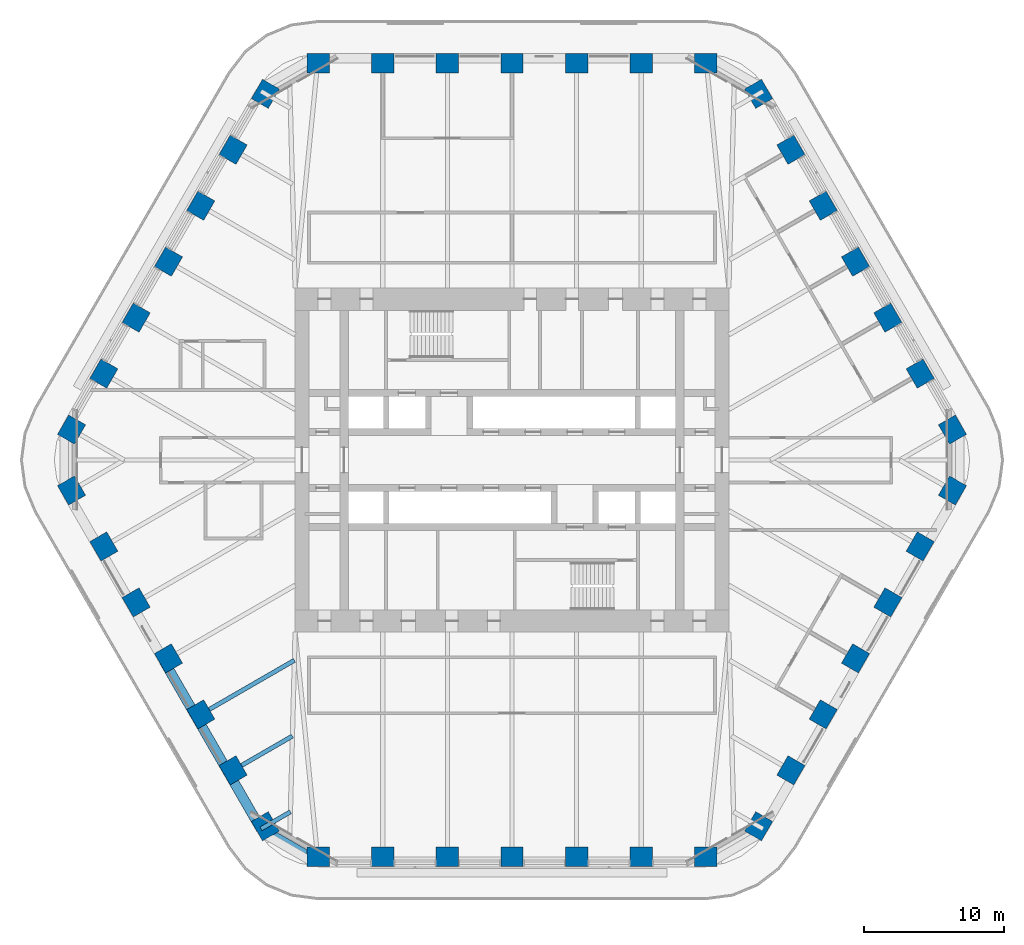
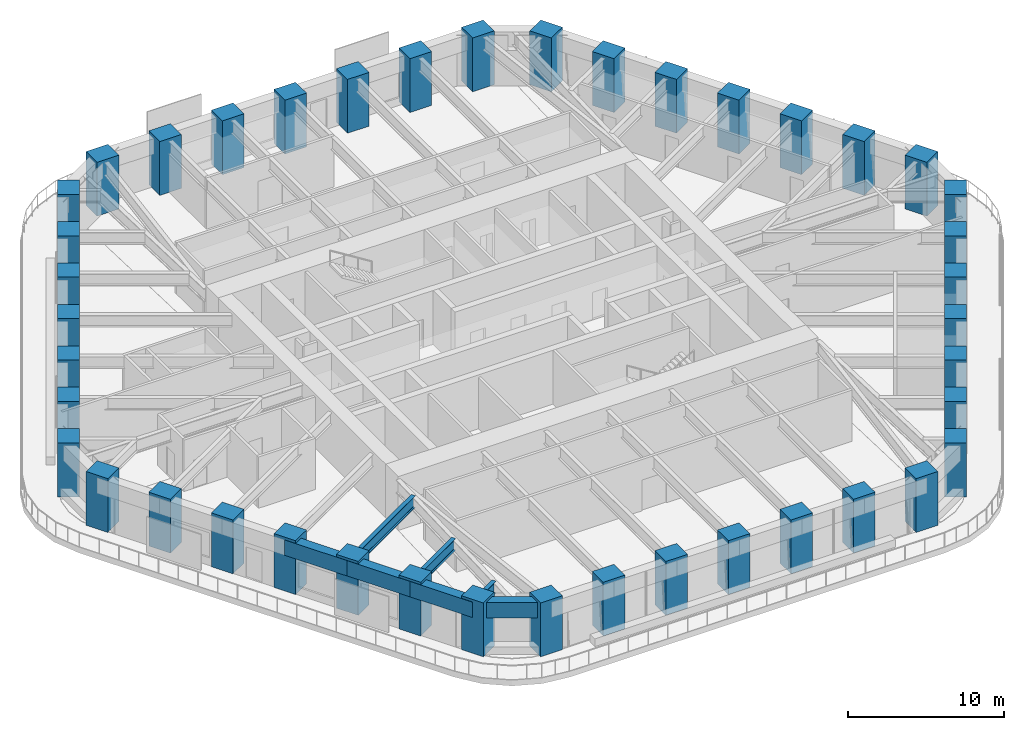
# One storey, part 1 of 20: 42 columns, 7 beams.
"""IFC4 building model written with IfcOpenShell, lengths in metres."""

import ifcopenshell
import ifcopenshell.guid

model = None  # the IFC model being written
_history = None  # IfcOwnerHistory: only IFC2X3 demands one
_inside = {}  # id of a spatial element -> (the spatial element, [elements in it])
_under = {}  # id of a project, library or spatial element -> (it, [spatial elements below it])
_declared = {}  # id of a project -> (the project, [libraries it declares])
_typed = {}  # id of a type object -> (the type object, [elements of that type])
_made_of = {}  # id of a material, layer set ... -> (it, [elements and type objects made of it])


def new_model(schema):
    """Start an empty IFC model of exactly this schema.

    Asked for "IFC4X3", IfcOpenShell would pick the latest addendum, in which some entities
    have other attributes; the version numbers below select the first issue.
    IFC2X3 requires an IfcOwnerHistory on every rooted entity: one is made here for all.
    """
    global model, _history
    if schema == "IFC4X3":
        model = ifcopenshell.file(schema_version=(4, 3, 0, 0))
    else:
        model = ifcopenshell.file(schema=schema)
    _inside.clear()
    _under.clear()
    _declared.clear()
    _typed.clear()
    _made_of.clear()
    _history = None
    if model.schema == "IFC2X3":
        org = make("IfcOrganization", Name="unknown")
        user = make(
            "IfcPersonAndOrganization",
            ThePerson=make("IfcPerson", FamilyName="unknown"),
            TheOrganization=org,
        )
        app = make(
            "IfcApplication",
            ApplicationDeveloper=org,
            Version="unknown",
            ApplicationFullName="unknown",
            ApplicationIdentifier="unknown",
        )
        _history = make(
            "IfcOwnerHistory",
            OwningUser=user,
            OwningApplication=app,
            ChangeAction="ADDED",
            CreationDate=0,
        )
    return model


def make(cls, **values):
    """One entity of the class cls with the attributes given. An attribute that is None is left unset."""
    return model.create_entity(
        cls, **{name: value for name, value in values.items() if value is not None}
    )


def rooted(cls, **values):
    """An entity with a GlobalId (a new one), such as an element, a storey or a relation."""
    return make(cls, GlobalId=ifcopenshell.guid.new(), OwnerHistory=_history, **values)


def si_unit(unit_type, name, prefix=None):
    """IfcSIUnit, for example si_unit("LENGTHUNIT", "METRE", prefix="MILLI")."""
    return make("IfcSIUnit", UnitType=unit_type, Prefix=prefix, Name=name)


def assignment(units):
    """IfcUnitAssignment: the units of a project."""
    return None if units is None else make("IfcUnitAssignment", Units=units)


def point(xyz):
    """IfcCartesianPoint."""
    return None if xyz is None else make("IfcCartesianPoint", Coordinates=xyz)


def direction(xyz):
    """IfcDirection."""
    return None if xyz is None else make("IfcDirection", DirectionRatios=xyz)


def frame(location, z_axis=None, x_axis=None):
    """IfcAxis2Placement3D, a coordinate frame: its origin and axes. An axis left out is left unset."""
    return make(
        "IfcAxis2Placement3D",
        Location=point(location),
        Axis=direction(z_axis),
        RefDirection=direction(x_axis),
    )


def frame_2d(location, x_axis=None):
    """IfcAxis2Placement2D, a coordinate frame in the plane: its origin and x axis."""
    return make(
        "IfcAxis2Placement2D", Location=point(location), RefDirection=direction(x_axis)
    )


def origin():
    """The frame at (0, 0, 0) with its axes left unset."""
    return frame((0.0, 0.0, 0.0))


def origin_2d():
    """The frame at (0, 0) in the plane with its x axis left unset."""
    return frame_2d((0.0, 0.0))


def place(relative_to, where):
    """IfcLocalPlacement: puts the frame where relative to a parent placement (None: the world)."""
    return make(
        "IfcLocalPlacement", PlacementRelTo=relative_to, RelativePlacement=where
    )


def context(
    kind, dimensions, precision=None, world=None, true_north=None, identifier=None
):
    """IfcGeometricRepresentationContext, for example the 3D "Model" context."""
    return make(
        "IfcGeometricRepresentationContext",
        ContextIdentifier=identifier,
        ContextType=kind,
        CoordinateSpaceDimension=dimensions,
        Precision=precision,
        WorldCoordinateSystem=world,
        TrueNorth=true_north,
    )


def subcontext(parent, identifier, kind, view, scale=None):
    """IfcGeometricRepresentationSubContext, for example "Body" below "Model"."""
    return make(
        "IfcGeometricRepresentationSubContext",
        ContextIdentifier=identifier,
        ContextType=kind,
        ParentContext=parent,
        TargetScale=scale,
        TargetView=view,
    )


def project(units=None, contexts=None):
    """IfcProject with its units and contexts."""
    return rooted(
        "IfcProject",
        Name="project",
        RepresentationContexts=contexts,
        UnitsInContext=assignment(units),
    )


def spatial(cls, under=None, at=None, **own):
    """A site, building, storey or space (cls), placed at a placement, below another one or the project."""
    s = rooted(cls, ObjectPlacement=at, **own)
    if under is not None:
        _under.setdefault(under.id(), (under, []))[1].append(s)
    return s


def profile(cls, at=None, kind="AREA", **sizes):
    """A parametric profile (cls). Its sizes go by their IFC names, for example OverallWidth=200.0."""
    return make(cls, ProfileType=kind, Position=at, **sizes)


def rectangle(**sizes):
    """IfcRectangleProfileDef."""
    return profile("IfcRectangleProfileDef", **sizes)


def i_section(**sizes):
    """IfcIShapeProfileDef."""
    return profile("IfcIShapeProfileDef", **sizes)


def extrude(swept, where, along, depth):
    """IfcExtrudedAreaSolid: the profile swept, set in the frame where, extruded along a direction by depth."""
    return make(
        "IfcExtrudedAreaSolid",
        SweptArea=swept,
        Position=where,
        ExtrudedDirection=direction(along),
        Depth=depth,
    )


def shape(context_of_items, identifier, shape_type, items):
    """IfcShapeRepresentation: the items that make up one representation, for example the "Body"."""
    return make(
        "IfcShapeRepresentation",
        ContextOfItems=context_of_items,
        RepresentationIdentifier=identifier,
        RepresentationType=shape_type,
        Items=items,
    )


def material(Name=None, Category=None):
    """IfcMaterial."""
    return make("IfcMaterial", Name=Name, Category=Category)


def material_profile(
    of_material, cross_section, Name=None, Category=None, Priority=None
):
    """IfcMaterialProfile: a cross section and its material."""
    return make(
        "IfcMaterialProfile",
        Name=Name,
        Material=of_material,
        Profile=cross_section,
        Priority=Priority,
        Category=Category,
    )


def profile_set(profiles, Name=None, composite=None):
    """IfcMaterialProfileSet."""
    return make(
        "IfcMaterialProfileSet",
        Name=Name,
        MaterialProfiles=profiles,
        CompositeProfile=composite,
    )


def made_of(thing, what):
    """Note that an element or type object is made of a material, layer set ...; save() writes the relation."""
    if what is not None:
        _made_of.setdefault(what.id(), (what, []))[1].append(thing)
    return thing


def type_object(cls, material=None, **own):
    """A type object (cls), such as IfcWallType, which elements share."""
    return made_of(rooted(cls, **own), material)


def element(
    cls,
    number,
    at=None,
    inside=None,
    cuts=None,
    type_object=None,
    material=None,
    context=None,
    identifier="Body",
    shape_type=None,
    held_by="IfcProductDefinitionShape",
    body=None,
    shapes=None,
    **own,
):
    """One element of the class cls, such as IfcWall. Its Tag is "e" and its number.

    at: its placement. inside: the storey or other place that contains it. cuts: it is an
    opening in that element (IfcRelVoidsElement). A single representation is given by context,
    identifier, shape_type and body (its items); several are given by shapes. held_by: the class
    of the entity that holds the representations. save() writes the other relations.
    """
    e = rooted(cls, Tag="e%d" % number, ObjectPlacement=at, **own)
    if body is not None:
        shapes = [shape(context, identifier, shape_type, body)]
    if shapes is not None:
        e.Representation = make(held_by, Representations=shapes)
    if inside is not None:
        _inside.setdefault(inside.id(), (inside, []))[1].append(e)
    if cuts is not None:
        rooted(
            "IfcRelVoidsElement", RelatingBuildingElement=cuts, RelatedOpeningElement=e
        )
    if type_object is not None:
        _typed.setdefault(type_object.id(), (type_object, []))[1].append(e)
    return made_of(e, material)


def aggregate(whole, parts):
    """IfcRelAggregates: a whole, such as a stair, and the parts it consists of."""
    return rooted("IfcRelAggregates", RelatingObject=whole, RelatedObjects=parts)


def save(model, path):
    """Write the relations noted so far, then the file.

    IfcRelAggregates (storeys below a building ...), IfcRelContainedInSpatialStructure (elements
    in a storey), IfcRelDefinesByType, IfcRelAssociatesMaterial and IfcRelDeclares: one each for
    every whole, place, type object, material and project.
    """
    for whole, parts in _under.values():
        aggregate(whole, parts)
    for where, things in _inside.values():
        rooted(
            "IfcRelContainedInSpatialStructure",
            RelatedElements=things,
            RelatingStructure=where,
        )
    for kind, things in _typed.values():
        rooted("IfcRelDefinesByType", RelatedObjects=things, RelatingType=kind)
    for what, things in _made_of.values():
        rooted("IfcRelAssociatesMaterial", RelatedObjects=things, RelatingMaterial=what)
    for by, libraries in _declared.values():
        rooted("IfcRelDeclares", RelatingContext=by, RelatedDefinitions=libraries)
    model.write(path)


model = new_model("IFC4")

# Units and contexts
model_context = context("Model", 3, precision=1e-05, world=origin(), true_north=direction((0.0, 1.0)))
body_context = subcontext(model_context, "Body", "Model", "MODEL_VIEW")
ifc_project = project(units=[si_unit("LENGTHUNIT", "METRE"), si_unit("AREAUNIT", "SQUARE_METRE"), si_unit("VOLUMEUNIT", "CUBIC_METRE"), si_unit("PLANEANGLEUNIT", "RADIAN"), si_unit("MASSUNIT", "GRAM", prefix="KILO")], contexts=[model_context])

# Site, building, storey
site_placement = place(None, origin())
site = spatial("IfcSite", under=ifc_project, at=site_placement, CompositionType="ELEMENT")
building_placement = place(site_placement, origin())
building = spatial("IfcBuilding", under=site, at=building_placement, Name="Tarfa Lantern Tower", CompositionType="ELEMENT")
storey_placement = place(building_placement, frame((0.0, 0.0, 232.300048828125)))
storey = spatial("IfcBuildingStorey", under=building, at=storey_placement, Name="L52", CompositionType="ELEMENT", Elevation=232.300048828125)

# Columns
ifc_material_1 = material(Name="Concrete C80/95", Category="concrete")
ifc_material_profile_1 = material_profile(ifc_material_1, rectangle(XDim=1.60009765625, YDim=1.39990234375, at=origin_2d()), Name="RC 1600x1400")
ifc_profile_set_1 = profile_set([ifc_material_profile_1], Name="Concrete C80/95")
column_type = type_object("IfcColumnType", Name="TC9 RC 1600x1400", PredefinedType="COLUMN", material=ifc_profile_set_1)
for number, where, z_axis, x_axis, name in (
    (1, (31.47998046875, 2.175048828125, 0.0), (0.0, 0.0, 1.0), (-0.5, 0.866025403784, 0.0), "Tube column NE0"),
    (2, (29.170654296875, 6.175048828125, 0.0), (0.0, 0.0, 1.0), (-0.5, 0.866025403784, 0.0), "Tube column NE1"),
    (3, (26.861328125, 10.175048828125, 0.0), (0.0, 0.0, 1.0), (-0.5, 0.866025403784, 0.0), "Tube column NE2"),
    (4, (24.5517578125, 14.175048828125, 0.0), (0.0, 0.0, 1.0), (-0.5, 0.866025403784, 0.0), "Tube column NE3"),
    (5, (22.242431640625, 18.175048828125, 0.0), (0.0, 0.0, 1.0), (-0.5, 0.866025403784, 0.0), "Tube column NE4"),
    (6, (19.93310546875, 22.175048828125, 0.0), (0.0, 0.0, 1.0), (-0.5, 0.866025403784, 0.0), "Tube column NE5"),
    (7, (17.62353515625, 26.175048828125, 0.0), (0.0, 0.0, 1.0), (-0.5, 0.866025403784, 0.0), "Tube column NE6"),
    (8, (13.8564453125, 28.35009765625, 0.0), (0.0, 0.0, 1.0), (-1.0, 0.0, 0.0), "Tube column N0"),
    (9, (9.237548828125, 28.35009765625, 0.0), (0.0, 0.0, 1.0), (-1.0, 0.0, 0.0), "Tube column N1"),
    (10, (4.618896484375, 28.35009765625, 0.0), (0.0, 0.0, 1.0), (-1.0, 0.0, 0.0), "Tube column N2"),
    (11, (0.0, 28.35009765625, 0.0), (0.0, 0.0, 1.0), (-1.0, 0.0, 0.0), "Tube column N3"),
    (12, (-4.618896484375, 28.35009765625, 0.0), (0.0, 0.0, 1.0), (-1.0, 0.0, 0.0), "Tube column N4"),
    (13, (-9.237548828125, 28.35009765625, 0.0), (0.0, 0.0, 1.0), (-1.0, 0.0, 0.0), "Tube column N5"),
    (14, (-13.8564453125, 28.35009765625, 0.0), (0.0, 0.0, 1.0), (-1.0, 0.0, 0.0), "Tube column N6"),
    (15, (-17.62353515625, 26.175048828125, 0.0), (0.0, 0.0, 1.0), (-0.5, -0.866025403784, 0.0), "Tube column NW0"),
    (16, (-19.93310546875, 22.175048828125, 0.0), (0.0, 0.0, 1.0), (-0.5, -0.866025403784, 0.0), "Tube column NW1"),
    (17, (-22.242431640625, 18.175048828125, 0.0), (0.0, 0.0, 1.0), (-0.5, -0.866025403784, 0.0), "Tube column NW2"),
    (18, (-24.5517578125, 14.175048828125, 0.0), (0.0, 0.0, 1.0), (-0.5, -0.866025403784, 0.0), "Tube column NW3"),
    (19, (-26.861328125, 10.175048828125, 0.0), (0.0, 0.0, 1.0), (-0.5, -0.866025403784, 0.0), "Tube column NW4"),
    (20, (-29.170654296875, 6.175048828125, 0.0), (0.0, 0.0, 1.0), (-0.5, -0.866025403784, 0.0), "Tube column NW5"),
    (21, (-31.47998046875, 2.175048828125, 0.0), (0.0, 0.0, 1.0), (-0.5, -0.866025403784, 0.0), "Tube column NW6"),
    (22, (-31.47998046875, -2.175048828125, 0.0), (0.0, 0.0, 1.0), (0.5, -0.866025403784, 0.0), "Tube column SW0"),
    (23, (-29.170654296875, -6.175048828125, 0.0), (0.0, 0.0, 1.0), (0.5, -0.866025403784, 0.0), "Tube column SW1"),
    (24, (-26.861328125, -10.175048828125, 0.0), (0.0, 0.0, 1.0), (0.5, -0.866025403784, 0.0), "Tube column SW2"),
    (25, (-24.5517578125, -14.175048828125, 0.0), (0.0, 0.0, 1.0), (0.5, -0.866025403784, 0.0), "Tube column SW3"),
    (26, (-22.242431640625, -18.175048828125, 0.0), (0.0, 0.0, 1.0), (0.5, -0.866025403784, 0.0), "Tube column SW4"),
    (27, (-19.93310546875, -22.175048828125, 0.0), (0.0, 0.0, 1.0), (0.5, -0.866025403784, 0.0), "Tube column SW5"),
    (28, (-17.62353515625, -26.175048828125, 0.0), (0.0, 0.0, 1.0), (0.5, -0.866025403784, 0.0), "Tube column SW6"),
    (29, (-13.8564453125, -28.35009765625, 0.0), (0.0, 0.0, 1.0), (1.0, 0.0, 0.0), "Tube column S0"),
    (30, (-9.237548828125, -28.35009765625, 0.0), (0.0, 0.0, 1.0), (1.0, 0.0, 0.0), "Tube column S1"),
    (31, (-4.618896484375, -28.35009765625, 0.0), (0.0, 0.0, 1.0), (1.0, 0.0, 0.0), "Tube column S2"),
    (32, (0.0, -28.35009765625, 0.0), (0.0, 0.0, 1.0), (1.0, 0.0, 0.0), "Tube column S3"),
    (33, (4.618896484375, -28.35009765625, 0.0), (0.0, 0.0, 1.0), (1.0, 0.0, 0.0), "Tube column S4"),
    (34, (9.237548828125, -28.35009765625, 0.0), (0.0, 0.0, 1.0), (1.0, 0.0, 0.0), "Tube column S5"),
    (35, (13.8564453125, -28.35009765625, 0.0), (0.0, 0.0, 1.0), (1.0, 0.0, 0.0), "Tube column S6"),
    (36, (17.62353515625, -26.175048828125, 0.0), (0.0, 0.0, 1.0), (0.5, 0.866025403784, 0.0), "Tube column SE0"),
    (37, (19.93310546875, -22.175048828125, 0.0), (0.0, 0.0, 1.0), (0.5, 0.866025403784, 0.0), "Tube column SE1"),
    (38, (22.242431640625, -18.175048828125, 0.0), (0.0, 0.0, 1.0), (0.5, 0.866025403784, 0.0), "Tube column SE2"),
    (39, (24.5517578125, -14.175048828125, 0.0), (0.0, 0.0, 1.0), (0.5, 0.866025403784, 0.0), "Tube column SE3"),
    (40, (26.861328125, -10.175048828125, 0.0), (0.0, 0.0, 1.0), (0.5, 0.866025403784, 0.0), "Tube column SE4"),
    (41, (29.170654296875, -6.175048828125, 0.0), (0.0, 0.0, 1.0), (0.5, 0.866025403784, 0.0), "Tube column SE5"),
    (42, (31.47998046875, -2.175048828125, 0.0), (0.0, 0.0, 1.0), (0.5, 0.866025403784, 0.0), "Tube column SE6"),
):
    element("IfcColumn", number, at=place(storey_placement, frame(where, z_axis=z_axis, x_axis=x_axis)), inside=storey, type_object=column_type, Name=name, PredefinedType="COLUMN", context=body_context, shape_type="SweptSolid", body=[
        extrude(rectangle(XDim=1.60009765625, YDim=1.39990234375, at=origin_2d()), origin(), (0.0, 0.0, 1.0), 4.199951171875),
    ])

# Beams
ifc_material_profile_2 = material_profile(ifc_material_1, rectangle(XDim=0.699951171875, YDim=1.199951171875, at=origin_2d()), Name="RC 700x1200")
ifc_profile_set_2 = profile_set([ifc_material_profile_2], Name="Concrete C80/95")
beam_type_1 = type_object("IfcBeamType", Name="EB3 RC 700x1200", PredefinedType="SPANDREL", material=ifc_profile_set_2)
beam_1_placement = place(storey_placement, frame((-24.872314453125, -14.360107421875, 3.39990234375), z_axis=(0.500027479704, -0.866009537788, 0.0), x_axis=(0.866009537788, 0.500027479704, 0.0)))
element("IfcBeam", 43, at=beam_1_placement, inside=storey, type_object=beam_type_1, Name="Edge beam SW3", PredefinedType="SPANDREL", context=body_context, shape_type="SweptSolid", body=[
    extrude(rectangle(XDim=0.699951171875, YDim=1.199951171875, at=origin_2d()), origin(), (0.0, 0.0, 1.0), 4.618896484375),
])
for number, where, z_axis, x_axis, name in (
    (44, (-22.562744140625, -18.360107421875, 3.39990234375), (0.499987836815, -0.866032426089, 0.0), (0.866032426089, 0.499987836815, 0.0), "Edge beam SW4"),
    (45, (-20.25341796875, -22.360107421875, 3.39990234375), (0.499987836815, -0.866032426089, 0.0), (0.866032426089, 0.499987836815, 0.0), "Edge beam SW5"),
):
    element("IfcBeam", number, at=place(storey_placement, frame(where, z_axis=z_axis, x_axis=x_axis)), inside=storey, type_object=beam_type_1, Name=name, PredefinedType="SPANDREL", context=body_context, shape_type="SweptSolid", body=[
        extrude(rectangle(XDim=0.699951171875, YDim=1.199951171875, at=origin_2d()), origin(), (0.0, 0.0, 1.0), 4.61865234375),
    ])
beam_2_placement = place(storey_placement, frame((-17.944091796875, -26.360107421875, 3.39990234375), z_axis=(0.866038294681, -0.499977671647, 0.0), x_axis=(0.499977671647, 0.866038294681, 0.0)))
element("IfcBeam", 46, at=beam_2_placement, inside=storey, type_object=beam_type_1, Name="Edge beam SW6", PredefinedType="SPANDREL", context=body_context, shape_type="SweptSolid", body=[
    extrude(rectangle(XDim=0.699951171875, YDim=1.199951171875, at=origin_2d()), origin(), (0.0, 0.0, 1.0), 4.719970703125),
])
ifc_material_2 = material(Name="Steel S460M", Category="steel")
ifc_material_profile_3 = material_profile(ifc_material_2, i_section(OverallWidth=0.305419921875, OverallDepth=0.91845703125, WebThickness=0.017333984375, FlangeThickness=0.02783203125, FilletRadius=0.01904296875, at=origin_2d()), Name="UB914x305x253")
ifc_profile_set_3 = profile_set([ifc_material_profile_3], Name="Steel S460M")
beam_type_2 = type_object("IfcBeamType", Name="UB914x305x253", PredefinedType="BEAM", material=ifc_profile_set_3)
beam_3_placement = place(storey_placement, frame((-22.562744140625, -18.360107421875, 3.540771484375), z_axis=(0.866010787764, 0.500025314835, 0.0), x_axis=(-0.500025314835, 0.866010787764, 0.0)))
element("IfcBeam", 47, at=beam_3_placement, inside=storey, type_object=beam_type_2, Name="Floor beam SW4", PredefinedType="BEAM", context=body_context, shape_type="SweptSolid", body=[
    extrude(i_section(OverallWidth=0.305419921875, OverallDepth=0.91845703125, WebThickness=0.017333984375, FlangeThickness=0.02783203125, FilletRadius=0.01904296875, at=origin_2d()), origin(), (0.0, 0.0, 1.0), 8.09423828125),
])
beam_4_placement = place(storey_placement, frame((-20.25341796875, -22.360107421875, 3.540771484375), z_axis=(0.86601951648, 0.500010196972, 0.0), x_axis=(-0.500010196972, 0.86601951648, 0.0)))
element("IfcBeam", 48, at=beam_4_placement, inside=storey, type_object=beam_type_2, Name="Floor beam SW5", PredefinedType="BEAM", context=body_context, shape_type="SweptSolid", body=[
    extrude(i_section(OverallWidth=0.305419921875, OverallDepth=0.91845703125, WebThickness=0.017333984375, FlangeThickness=0.02783203125, FilletRadius=0.01904296875, at=origin_2d()), origin(), (0.0, 0.0, 1.0), 5.263671875),
])
beam_5_placement = place(storey_placement, frame((-17.944091796875, -26.360107421875, 3.540771484375), z_axis=(0.865980009423, 0.5000786171, 0.0), x_axis=(-0.5000786171, 0.865980009423, 0.0)))
element("IfcBeam", 49, at=beam_5_placement, inside=storey, type_object=beam_type_2, Name="Floor beam SW6", PredefinedType="BEAM", context=body_context, shape_type="SweptSolid", body=[
    extrude(i_section(OverallWidth=0.305419921875, OverallDepth=0.91845703125, WebThickness=0.017333984375, FlangeThickness=0.02783203125, FilletRadius=0.01904296875, at=origin_2d()), origin(), (0.0, 0.0, 1.0), 2.4326171875),
])

save(model, "model.ifc")
